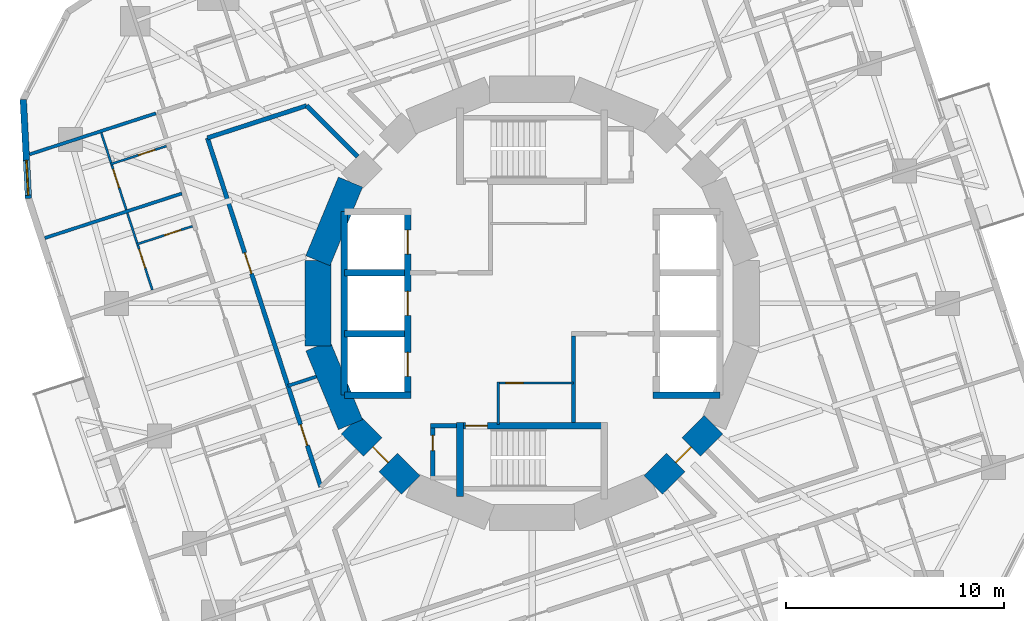
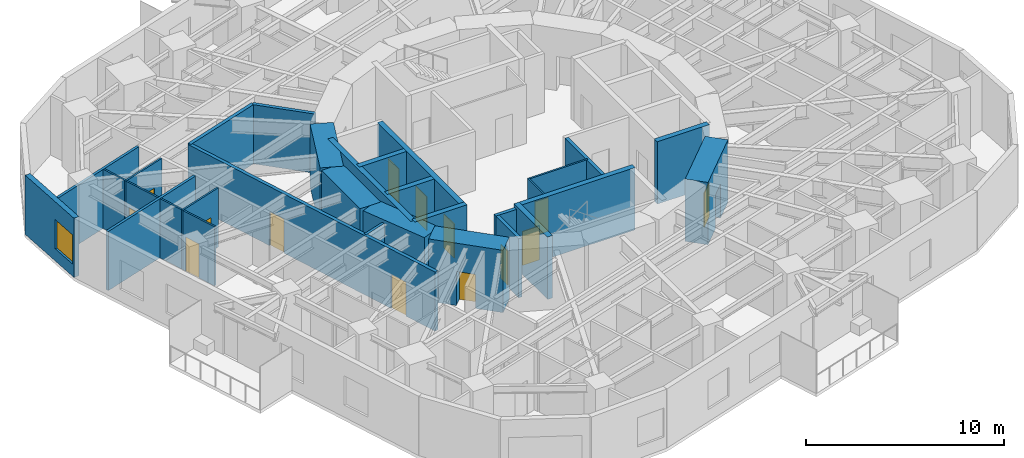
# One storey, part 6 of 12: 31 walls, 14 doors, 1 window, 15 openings.
"""IFC4 building model written with IfcOpenShell, lengths in metres."""

from ifc_helpers import new_model, si_unit, direction, frame, frame_2d, origin, place, context, subcontext, project, spatial, rectangle, extrude, material, layer, layer_set, type_object, element, fill, save


model = new_model("IFC4")

# Units and contexts
model_context = context("Model", 3, precision=1e-05, world=origin(), true_north=direction((0.0, 1.0)))
body_context = subcontext(model_context, "Body", "Model", "MODEL_VIEW")
ifc_project = project(units=[si_unit("LENGTHUNIT", "METRE"), si_unit("AREAUNIT", "SQUARE_METRE"), si_unit("VOLUMEUNIT", "CUBIC_METRE"), si_unit("PLANEANGLEUNIT", "RADIAN"), si_unit("MASSUNIT", "GRAM", prefix="KILO")], contexts=[model_context])

# Site, building, storey
site_placement = place(None, origin())
site = spatial("IfcSite", under=ifc_project, at=site_placement, CompositionType="ELEMENT")
building_placement = place(site_placement, origin())
building = spatial("IfcBuilding", under=site, at=building_placement, Name="Nakasero Lantern House", CompositionType="ELEMENT")
storey_placement = place(building_placement, frame((0.0, 0.0, 145.64990234375)))
storey = spatial("IfcBuildingStorey", under=building, at=storey_placement, Name="L35", CompositionType="ELEMENT", Elevation=145.64990234375)

# Wall, openings, doors
ifc_material_1 = material(Name="Concrete C50/60", Category="concrete")
ifc_layer_1 = layer(ifc_material_1, 0.300048828125)
ifc_layer_set_1 = layer_set([ifc_layer_1], Name="Core inner wall 300")
wall_type_1 = type_object("IfcWallType", Name="Core inner wall 300", PredefinedType="SHEAR", material=ifc_layer_set_1)
wall_1_placement = place(storey_placement, frame((-5.699951171875, -4.199951171875, 0.0), z_axis=(0.0, 0.0, 1.0), x_axis=(0.0, 1.0, 0.0)))
wall_1 = element("IfcWall", 1, at=wall_1_placement, inside=storey, type_object=wall_type_1, Name="Core inner wall L35 LW", PredefinedType="SHEAR", context=body_context, shape_type="SweptSolid", body=[
    extrude(rectangle(XDim=8.39990234375, YDim=0.300048828125, at=frame_2d((4.199951171875, 0.0))), origin(), (0.0, 0.0, 1.0), 3.85009765625),
])
opening_1_placement = place(wall_1_placement, frame((0.85009765625, 0.0, 0.0)))
opening_1 = element("IfcOpeningElement", 2, at=opening_1_placement, cuts=wall_1, Name="Opening LD", PredefinedType="OPENING", context=body_context, shape_type="SweptSolid", body=[
    extrude(rectangle(XDim=1.10009765625, YDim=2.10009765625, at=frame_2d((0.550048828125, 1.050048828125))), frame((0.0, 0.169921875, 0.0), z_axis=(0.0, -1.0, 0.0), x_axis=(1.0, 0.0, 0.0)), (0.0, 0.0, 1.0), 0.340087890625),
])
opening_2_placement = place(wall_1_placement, frame((3.64990234375, 0.0, 0.0)))
opening_2 = element("IfcOpeningElement", 3, at=opening_2_placement, cuts=wall_1, Name="Opening LD", PredefinedType="OPENING", context=body_context, shape_type="SweptSolid", body=[
    extrude(rectangle(XDim=1.10009765625, YDim=2.10009765625, at=frame_2d((0.550048828125, 1.050048828125))), frame((0.0, 0.169921875, 0.0), z_axis=(0.0, -1.0, 0.0), x_axis=(1.0, 0.0, 0.0)), (0.0, 0.0, 1.0), 0.340087890625),
])
opening_3_placement = place(wall_1_placement, frame((6.449951171875, 0.0, 0.0)))
opening_3 = element("IfcOpeningElement", 4, at=opening_3_placement, cuts=wall_1, Name="Opening LD", PredefinedType="OPENING", context=body_context, shape_type="SweptSolid", body=[
    extrude(rectangle(XDim=1.10009765625, YDim=2.10009765625, at=frame_2d((0.550048828125, 1.050048828125))), frame((0.0, 0.169921875, 0.0), z_axis=(0.0, -1.0, 0.0), x_axis=(1.0, 0.0, 0.0)), (0.0, 0.0, 1.0), 0.340087890625),
])
ifc_material_2 = material(Name="Steel S355", Category="steel")
door_type_1 = type_object("IfcDoorType", Name="Lift landing door E120 1100", OperationType="SLIDING_TO_LEFT", PredefinedType="DOOR", material=ifc_material_2)
door_1_placement = place(opening_1_placement, origin())
door_1 = element("IfcDoor", 5, at=door_1_placement, inside=storey, type_object=door_type_1, Name="Lift landing door LW1", OperationType="SLIDING_TO_LEFT", OverallHeight=2.10009765625, OverallWidth=1.10009765625, PredefinedType="DOOR", context=body_context, shape_type="SweptSolid", body=[
    extrude(rectangle(XDim=1.10009765625, YDim=2.10009765625, at=frame_2d((0.550048828125, 1.050048828125))), frame((0.0, 0.02490234375, 0.0), z_axis=(0.0, -1.0, 0.0), x_axis=(1.0, 0.0, 0.0)), (0.0, 0.0, 1.0), 0.050048828125),
])
fill(opening_1, door_1)
door_2_placement = place(opening_2_placement, origin())
door_2 = element("IfcDoor", 6, at=door_2_placement, inside=storey, type_object=door_type_1, Name="Lift landing door LW2", OperationType="SLIDING_TO_LEFT", OverallHeight=2.10009765625, OverallWidth=1.10009765625, PredefinedType="DOOR", context=body_context, shape_type="SweptSolid", body=[
    extrude(rectangle(XDim=1.10009765625, YDim=2.10009765625, at=frame_2d((0.550048828125, 1.050048828125))), frame((0.0, 0.02490234375, 0.0), z_axis=(0.0, -1.0, 0.0), x_axis=(1.0, 0.0, 0.0)), (0.0, 0.0, 1.0), 0.050048828125),
])
fill(opening_2, door_2)
door_3_placement = place(opening_3_placement, origin())
door_3 = element("IfcDoor", 7, at=door_3_placement, inside=storey, type_object=door_type_1, Name="Lift landing door LW3", OperationType="SLIDING_TO_LEFT", OverallHeight=2.10009765625, OverallWidth=1.10009765625, PredefinedType="DOOR", context=body_context, shape_type="SweptSolid", body=[
    extrude(rectangle(XDim=1.10009765625, YDim=2.10009765625, at=frame_2d((0.550048828125, 1.050048828125))), frame((0.0, 0.02490234375, 0.0), z_axis=(0.0, -1.0, 0.0), x_axis=(1.0, 0.0, 0.0)), (0.0, 0.0, 1.0), 0.050048828125),
])
fill(opening_3, door_3)

# Walls
for number, where, z_axis, x_axis, name in (
    (8, (-8.60009765625, -4.199951171875, 0.0), (0.0, 0.0, 1.0), (1.0, 0.0, 0.0), "Core inner wall L35 LWS"),
    (9, (5.550048828125, -4.199951171875, 0.0), (0.0, 0.0, 1.0), (1.0, 0.0, 0.0), "Core inner wall L35 LES"),
):
    element("IfcWall", number, at=place(storey_placement, frame(where, z_axis=z_axis, x_axis=x_axis)), inside=storey, type_object=wall_type_1, Name=name, PredefinedType="SHEAR", context=body_context, shape_type="SweptSolid", body=[
        extrude(rectangle(XDim=3.050048828125, YDim=0.300048828125, at=frame_2d((1.52490234375, 0.0))), origin(), (0.0, 0.0, 1.0), 3.85009765625),
    ])
wall_2_placement = place(storey_placement, frame((-8.60009765625, -4.199951171875, 0.0), z_axis=(0.0, 0.0, 1.0), x_axis=(0.0, 1.0, 0.0)))
element("IfcWall", 10, at=wall_2_placement, inside=storey, type_object=wall_type_1, Name="Core inner wall L35 LWB", PredefinedType="SHEAR", context=body_context, shape_type="SweptSolid", body=[
    extrude(rectangle(XDim=8.39990234375, YDim=0.300048828125, at=frame_2d((4.199951171875, 0.0))), origin(), (0.0, 0.0, 1.0), 3.85009765625),
])
for number, where, z_axis, x_axis, name in (
    (11, (-8.60009765625, -1.39990234375, 0.0), (0.0, 0.0, 1.0), (1.0, 0.0, 0.0), "Core inner wall L35 LW1"),
    (12, (-8.60009765625, 1.39990234375, 0.0), (0.0, 0.0, 1.0), (1.0, 0.0, 0.0), "Core inner wall L35 LW2"),
):
    element("IfcWall", number, at=place(storey_placement, frame(where, z_axis=z_axis, x_axis=x_axis)), inside=storey, type_object=wall_type_1, Name=name, PredefinedType="SHEAR", context=body_context, shape_type="SweptSolid", body=[
        extrude(rectangle(XDim=2.75, YDim=0.300048828125, at=frame_2d((1.375, 0.0))), origin(), (0.0, 0.0, 1.0), 3.85009765625),
    ])

# Wall, opening, door
wall_3_placement = place(storey_placement, frame((-3.449951171875, -5.60009765625, 0.0), z_axis=(0.0, 0.0, 1.0), x_axis=(1.0, 0.0, 0.0)))
wall_3 = element("IfcWall", 13, at=wall_3_placement, inside=storey, type_object=wall_type_1, Name="Core inner wall L35 SS", PredefinedType="SHEAR", context=body_context, shape_type="SweptSolid", body=[
    extrude(rectangle(XDim=6.89990234375, YDim=0.300048828125, at=frame_2d((3.449951171875, 0.0))), origin(), (0.0, 0.0, 1.0), 3.85009765625),
])
opening_4_placement = place(wall_3_placement, frame((0.39990234375, 0.0, 0.0)))
opening_4 = element("IfcOpeningElement", 14, at=opening_4_placement, cuts=wall_3, Name="Opening D05", PredefinedType="OPENING", context=body_context, shape_type="SweptSolid", body=[
    extrude(rectangle(XDim=1.0, YDim=2.10009765625, at=frame_2d((0.5, 1.050048828125))), frame((0.0, 0.169921875, 0.0), z_axis=(0.0, -1.0, 0.0), x_axis=(1.0, 0.0, 0.0)), (0.0, 0.0, 1.0), 0.340087890625),
])
ifc_material_3 = material(Name="Timber C24", Category="wood")
door_type_2 = type_object("IfcDoorType", Name="Core door FD60S 1000", OperationType="SINGLE_SWING_LEFT", PredefinedType="DOOR", material=ifc_material_3)
door_4_placement = place(opening_4_placement, origin())
door_4 = element("IfcDoor", 15, at=door_4_placement, inside=storey, type_object=door_type_2, Name="Door L35 D-ST2", OperationType="SINGLE_SWING_LEFT", OverallHeight=2.10009765625, OverallWidth=1.0, PredefinedType="DOOR", context=body_context, shape_type="SweptSolid", body=[
    extrude(rectangle(XDim=1.0, YDim=2.10009765625, at=frame_2d((0.5, 1.050048828125))), frame((0.0, 0.02490234375, 0.0), z_axis=(0.0, -1.0, 0.0), x_axis=(1.0, 0.0, 0.0)), (0.0, 0.0, 1.0), 0.050048828125),
])
fill(opening_4, door_4)

# Wall
wall_4_placement = place(storey_placement, frame((-3.300048828125, -5.449951171875, 0.0), z_axis=(0.0, 0.0, 1.0), x_axis=(0.0, -1.0, 0.0)))
element("IfcWall", 16, at=wall_4_placement, inside=storey, type_object=wall_type_1, Name="Core inner wall L35 SSW", PredefinedType="SHEAR", context=body_context, shape_type="SweptSolid", body=[
    extrude(rectangle(XDim=3.400146484375, YDim=0.300048828125, at=frame_2d((1.7001953125, 0.0))), origin(), (0.0, 0.0, 1.0), 3.85009765625),
])

# Wall, opening, door
ifc_material_4 = material(Name="Blockwork", Category="masonry")
ifc_layer_2 = layer(ifc_material_4, 0.10009765625)
ifc_layer_set_2 = layer_set([ifc_layer_2], Name="Core room wall 100")
wall_type_2 = type_object("IfcWallType", Name="Core room wall 100", PredefinedType="PARTITIONING", material=ifc_layer_set_2)
wall_5_placement = place(storey_placement, frame((-1.60009765625, -3.64990234375, 0.0), z_axis=(0.0, 0.0, 1.0), x_axis=(1.0, 0.0, 0.0)))
wall_5 = element("IfcWall", 17, at=wall_5_placement, inside=storey, type_object=wall_type_2, Name="Core room wall L35 CR-SWN", PredefinedType="PARTITIONING", context=body_context, shape_type="SweptSolid", body=[
    extrude(rectangle(XDim=3.5, YDim=0.10009765625, at=frame_2d((1.75, 0.0))), origin(), (0.0, 0.0, 1.0), 3.650146484375),
])
opening_5_placement = place(wall_5_placement, frame((0.39990234375, 0.0, 0.0)))
opening_5 = element("IfcOpeningElement", 18, at=opening_5_placement, cuts=wall_5, Name="Opening D15", PredefinedType="OPENING", context=body_context, shape_type="SweptSolid", body=[
    extrude(rectangle(XDim=0.800048828125, YDim=2.10009765625, at=frame_2d((0.39990234375, 1.050048828125))), frame((0.0, 0.070068359375, 0.0), z_axis=(0.0, -1.0, 0.0), x_axis=(1.0, 0.0, 0.0)), (0.0, 0.0, 1.0), 0.14013671875),
])
ifc_material_5 = material(Name="Timber C24", Category="wood")
door_type_3 = type_object("IfcDoorType", Name="Cleaner's store door FD30S 800", OperationType="SINGLE_SWING_LEFT", PredefinedType="DOOR", material=ifc_material_5)
door_5_placement = place(opening_5_placement, origin())
door_5 = element("IfcDoor", 19, at=door_5_placement, inside=storey, type_object=door_type_3, Name="Door L35 D-CR-SW", OperationType="SINGLE_SWING_LEFT", OverallHeight=2.10009765625, OverallWidth=0.800048828125, PredefinedType="DOOR", context=body_context, shape_type="SweptSolid", body=[
    extrude(rectangle(XDim=0.800048828125, YDim=2.10009765625, at=frame_2d((0.39990234375, 1.050048828125))), frame((0.0, 0.02490234375, 0.0), z_axis=(0.0, -1.0, 0.0), x_axis=(1.0, 0.0, 0.0)), (0.0, 0.0, 1.0), 0.050048828125),
])
fill(opening_5, door_5)

# Walls
wall_6_placement = place(storey_placement, frame((-1.550048828125, -5.550048828125, 0.0), z_axis=(0.0, 0.0, 1.0), x_axis=(0.0, 1.0, 0.0)))
element("IfcWall", 20, at=wall_6_placement, inside=storey, type_object=wall_type_2, Name="Core room wall L35 CR-SWW", PredefinedType="PARTITIONING", context=body_context, shape_type="SweptSolid", body=[
    extrude(rectangle(XDim=1.949951171875, YDim=0.10009765625, at=frame_2d((0.97509765625, 0.0))), origin(), (0.0, 0.0, 1.0), 3.650146484375),
])
ifc_material_6 = material(Name="Concrete C50/60", Category="concrete")
ifc_layer_3 = layer(ifc_material_6, 1.199951171875)
ifc_layer_set_3 = layer_set([ifc_layer_3], Name="Core wall 1200")
wall_type_3 = type_object("IfcWallType", Name="Core wall 1200", PredefinedType="SHEAR", material=ifc_layer_set_3)
for number, where, z_axis, x_axis, name in (
    (21, (-8.314697265625, 5.5556640625, 0.0), (0.0, 0.0, 1.0), (-0.382690736062, -0.923876507187, 0.0), "Core wall L35 facet 7"),
    (22, (-9.807861328125, 1.950927734375, 0.0), (0.0, 0.0, 1.0), (0.0, -1.0, 0.0), "Core wall L35 facet 8"),
    (23, (-9.807861328125, -1.950927734375, 0.0), (0.0, 0.0, 1.0), (0.382690736062, -0.923876507187, 0.0), "Core wall L35 facet 9"),
):
    element("IfcWall", number, at=place(storey_placement, frame(where, z_axis=z_axis, x_axis=x_axis)), inside=storey, type_object=wall_type_3, Name=name, PredefinedType="SHEAR", context=body_context, shape_type="SweptSolid", body=[
        extrude(rectangle(XDim=3.90185546875, YDim=1.199951171875, at=frame_2d((1.950927734375, 0.0))), origin(), (0.0, 0.0, 1.0), 3.85009765625),
    ])

# Wall, opening, door
wall_7_placement = place(storey_placement, frame((-8.314697265625, -5.5556640625, 0.0), z_axis=(0.0, 0.0, 1.0), x_axis=(0.707106781187, -0.707106781187, 0.0)))
wall_7 = element("IfcWall", 24, at=wall_7_placement, inside=storey, type_object=wall_type_3, Name="Core wall L35 facet 10", PredefinedType="SHEAR", context=body_context, shape_type="SweptSolid", body=[
    extrude(rectangle(XDim=3.90185546875, YDim=1.199951171875, at=frame_2d((1.950927734375, 0.0))), origin(), (0.0, 0.0, 1.0), 3.85009765625),
])
opening_6_placement = place(wall_7_placement, frame((1.450927734375, 0.0, 0.0)))
opening_6 = element("IfcOpeningElement", 25, at=opening_6_placement, cuts=wall_7, Name="Opening D05", PredefinedType="OPENING", context=body_context, shape_type="SweptSolid", body=[
    extrude(rectangle(XDim=1.0, YDim=2.10009765625, at=frame_2d((0.5, 1.050048828125))), frame((0.0, 0.619873046875, 0.0), z_axis=(0.0, -1.0, 0.0), x_axis=(1.0, 0.0, 0.0)), (0.0, 0.0, 1.0), 1.239990234375),
])
door_6_placement = place(opening_6_placement, origin())
door_6 = element("IfcDoor", 26, at=door_6_placement, inside=storey, type_object=door_type_2, Name="Door L35 D-CORE10", OperationType="SINGLE_SWING_LEFT", OverallHeight=2.10009765625, OverallWidth=1.0, PredefinedType="DOOR", context=body_context, shape_type="SweptSolid", body=[
    extrude(rectangle(XDim=1.0, YDim=2.10009765625, at=frame_2d((0.5, 1.050048828125))), frame((0.0, 0.02490234375, 0.0), z_axis=(0.0, -1.0, 0.0), x_axis=(1.0, 0.0, 0.0)), (0.0, 0.0, 1.0), 0.050048828125),
])
fill(opening_6, door_6)

wall_8_placement = place(storey_placement, frame((5.5556640625, -8.314697265625, 0.0), z_axis=(0.0, 0.0, 1.0), x_axis=(0.707106781187, 0.707106781187, 0.0)))
wall_8 = element("IfcWall", 27, at=wall_8_placement, inside=storey, type_object=wall_type_3, Name="Core wall L35 facet 14", PredefinedType="SHEAR", context=body_context, shape_type="SweptSolid", body=[
    extrude(rectangle(XDim=3.90185546875, YDim=1.199951171875, at=frame_2d((1.950927734375, 0.0))), origin(), (0.0, 0.0, 1.0), 3.85009765625),
])
opening_7_placement = place(wall_8_placement, frame((1.450927734375, 0.0, 0.0)))
opening_7 = element("IfcOpeningElement", 28, at=opening_7_placement, cuts=wall_8, Name="Opening D05", PredefinedType="OPENING", context=body_context, shape_type="SweptSolid", body=[
    extrude(rectangle(XDim=1.0, YDim=2.10009765625, at=frame_2d((0.5, 1.050048828125))), frame((0.0, 0.619873046875, 0.0), z_axis=(0.0, -1.0, 0.0), x_axis=(1.0, 0.0, 0.0)), (0.0, 0.0, 1.0), 1.239990234375),
])
door_7_placement = place(opening_7_placement, origin())
door_7 = element("IfcDoor", 29, at=door_7_placement, inside=storey, type_object=door_type_2, Name="Door L35 D-CORE14", OperationType="SINGLE_SWING_LEFT", OverallHeight=2.10009765625, OverallWidth=1.0, PredefinedType="DOOR", context=body_context, shape_type="SweptSolid", body=[
    extrude(rectangle(XDim=1.0, YDim=2.10009765625, at=frame_2d((0.5, 1.050048828125))), frame((0.0, 0.02490234375, 0.0), z_axis=(0.0, -1.0, 0.0), x_axis=(1.0, 0.0, 0.0)), (0.0, 0.0, 1.0), 0.050048828125),
])
fill(opening_7, door_7)

# Wall
ifc_material_7 = material(Name="Blockwork", Category="masonry")
ifc_layer_4 = layer(ifc_material_7, 0.199951171875)
ifc_layer_set_4 = layer_set([ifc_layer_4], Name="Corridor wall 200")
wall_type_4 = type_object("IfcWallType", Name="Corridor wall 200", PredefinedType="PARTITIONING", material=ifc_layer_set_4)
wall_9_placement = place(storey_placement, frame((-10.3251953125, 9.052490234375, 0.0), z_axis=(0.0, 0.0, 1.0), x_axis=(-0.951057724773, -0.309013275037, 0.0)))
element("IfcWall", 30, at=wall_9_placement, inside=storey, type_object=wall_type_4, Name="Corridor wall L35 IW1-1", PredefinedType="PARTITIONING", context=body_context, shape_type="SweptSolid", body=[
    extrude(rectangle(XDim=4.777587890625, YDim=0.199951171875, at=frame_2d((2.388671875, 0.0))), origin(), (0.0, 0.0, 1.0), 3.650146484375),
])

# Wall, openings, doors
wall_10_placement = place(storey_placement, frame((-14.868896484375, 7.576171875, 0.0), z_axis=(0.0, 0.0, 1.0), x_axis=(0.309013133095, -0.951057770893, 0.0)))
wall_10 = element("IfcWall", 31, at=wall_10_placement, inside=storey, type_object=wall_type_4, Name="Corridor wall L35 IW2-0", PredefinedType="PARTITIONING", context=body_context, shape_type="SweptSolid", body=[
    extrude(rectangle(XDim=16.80224609375, YDim=0.199951171875, at=frame_2d((8.401123046875, 0.0))), origin(), (0.0, 0.0, 1.0), 3.650146484375),
])
opening_8_placement = place(wall_10_placement, frame((13.80859375, 0.0, 0.0)))
opening_8 = element("IfcOpeningElement", 32, at=opening_8_placement, cuts=wall_10, Name="Opening D07", PredefinedType="OPENING", context=body_context, shape_type="SweptSolid", body=[
    extrude(rectangle(XDim=1.0, YDim=2.10009765625, at=frame_2d((0.5, 1.050048828125))), frame((0.0, 0.119873046875, 0.0), z_axis=(0.0, -1.0, 0.0), x_axis=(1.0, 0.0, 0.0)), (0.0, 0.0, 1.0), 0.239990234375),
])
opening_9_placement = place(wall_10_placement, frame((5.532470703125, 0.0, 0.0)))
opening_9 = element("IfcOpeningElement", 33, at=opening_9_placement, cuts=wall_10, Name="Opening D07", PredefinedType="OPENING", context=body_context, shape_type="SweptSolid", body=[
    extrude(rectangle(XDim=1.0, YDim=2.10009765625, at=frame_2d((0.5, 1.050048828125))), frame((0.0, 0.119873046875, 0.0), z_axis=(0.0, -1.0, 0.0), x_axis=(1.0, 0.0, 0.0)), (0.0, 0.0, 1.0), 0.239990234375),
])
ifc_material_8 = material(Name="Timber C24", Category="wood")
door_type_4 = type_object("IfcDoorType", Name="Room door FD30S 1000", OperationType="SINGLE_SWING_LEFT", PredefinedType="DOOR", material=ifc_material_8)
door_8_placement = place(opening_8_placement, origin())
door_8 = element("IfcDoor", 34, at=door_8_placement, inside=storey, type_object=door_type_4, Name="Door L35 DI1", OperationType="SINGLE_SWING_RIGHT", OverallHeight=2.10009765625, OverallWidth=1.0, PredefinedType="DOOR", context=body_context, shape_type="SweptSolid", body=[
    extrude(rectangle(XDim=1.0, YDim=2.10009765625, at=frame_2d((0.5, 1.050048828125))), frame((0.0, 0.02490234375, 0.0), z_axis=(0.0, -1.0, 0.0), x_axis=(1.0, 0.0, 0.0)), (0.0, 0.0, 1.0), 0.050048828125),
])
fill(opening_8, door_8)
door_9_placement = place(opening_9_placement, origin())
door_9 = element("IfcDoor", 35, at=door_9_placement, inside=storey, type_object=door_type_4, Name="Door L35 DI8", OperationType="SINGLE_SWING_LEFT", OverallHeight=2.10009765625, OverallWidth=1.0, PredefinedType="DOOR", context=body_context, shape_type="SweptSolid", body=[
    extrude(rectangle(XDim=1.0, YDim=2.10009765625, at=frame_2d((0.5, 1.050048828125))), frame((0.0, 0.02490234375, 0.0), z_axis=(0.0, -1.0, 0.0), x_axis=(1.0, 0.0, 0.0)), (0.0, 0.0, 1.0), 0.050048828125),
])
fill(opening_9, door_9)

# Wall
wall_11_placement = place(storey_placement, frame((-7.995849609375, 6.72314453125, 0.0), z_axis=(0.0, 0.0, 1.0), x_axis=(-0.707106781187, 0.707106781187, 0.0)))
element("IfcWall", 36, at=wall_11_placement, inside=storey, type_object=wall_type_4, Name="Corridor wall L35 PS06a", PredefinedType="PARTITIONING", context=body_context, shape_type="SweptSolid", body=[
    extrude(rectangle(XDim=3.294189453125, YDim=0.199951171875, at=frame_2d((1.64697265625, 0.0))), origin(), (0.0, 0.0, 1.0), 3.650146484375),
])

# Wall, opening, door
ifc_material_9 = material(Name="Blockwork", Category="masonry")
ifc_layer_5 = layer(ifc_material_9, 0.10009765625)
ifc_layer_set_5 = layer_set([ifc_layer_5], Name="En-suite wall 100")
wall_type_5 = type_object("IfcWallType", Name="En-suite wall 100", PredefinedType="PARTITIONING", material=ifc_layer_set_5)
wall_12_placement = place(storey_placement, frame((-16.745361328125, 7.202880859375, 0.0), z_axis=(0.0, 0.0, 1.0), x_axis=(-0.951069945308, -0.308975661068, 0.0)))
wall_12 = element("IfcWall", 37, at=wall_12_placement, inside=storey, type_object=wall_type_5, Name="En-suite wall L35 ES2-00", PredefinedType="PARTITIONING", context=body_context, shape_type="SweptSolid", body=[
    extrude(rectangle(XDim=2.699951171875, YDim=0.10009765625, at=frame_2d((1.35009765625, 0.0))), origin(), (0.0, 0.0, 1.0), 3.650146484375),
])
opening_10_placement = place(wall_12_placement, frame((0.550048828125, 0.0, 0.0)))
opening_10 = element("IfcOpeningElement", 38, at=opening_10_placement, cuts=wall_12, Name="Opening D02", PredefinedType="OPENING", context=body_context, shape_type="SweptSolid", body=[
    extrude(rectangle(XDim=0.800048828125, YDim=2.10009765625, at=frame_2d((0.39990234375, 1.050048828125))), frame((0.0, 0.070068359375, 0.0), z_axis=(0.0, -1.0, 0.0), x_axis=(1.0, 0.0, 0.0)), (0.0, 0.0, 1.0), 0.14013671875),
])
ifc_material_10 = material(Name="Timber C24", Category="wood")
door_type_5 = type_object("IfcDoorType", Name="En-suite door 800", OperationType="SINGLE_SWING_RIGHT", PredefinedType="DOOR", material=ifc_material_10)
door_10_placement = place(opening_10_placement, origin())
door_10 = element("IfcDoor", 39, at=door_10_placement, inside=storey, type_object=door_type_5, Name="Door L35 DE2-00", OperationType="SINGLE_SWING_LEFT", OverallHeight=2.10009765625, OverallWidth=0.800048828125, PredefinedType="DOOR", context=body_context, shape_type="SweptSolid", body=[
    extrude(rectangle(XDim=0.800048828125, YDim=2.10009765625, at=frame_2d((0.39990234375, 1.050048828125))), frame((0.0, 0.02490234375, 0.0), z_axis=(0.0, -1.0, 0.0), x_axis=(1.0, 0.0, 0.0)), (0.0, 0.0, 1.0), 0.050048828125),
])
fill(opening_10, door_10)

# Wall
wall_13_placement = place(storey_placement, frame((-19.729248046875, 7.810546875, 0.0), z_axis=(0.0, 0.0, 1.0), x_axis=(0.308994689397, -0.951063763333, 0.0)))
element("IfcWall", 40, at=wall_13_placement, inside=storey, type_object=wall_type_5, Name="En-suite wall L35 EE2-00", PredefinedType="PARTITIONING", context=body_context, shape_type="SweptSolid", body=[
    extrude(rectangle(XDim=1.449951171875, YDim=0.10009765625, at=frame_2d((0.72509765625, 0.0))), origin(), (0.0, 0.0, 1.0), 3.650146484375),
])

# Wall, opening, door
wall_14_placement = place(storey_placement, frame((-15.552734375, 3.5322265625, 0.0), z_axis=(0.0, 0.0, 1.0), x_axis=(-0.951069945308, -0.308975661068, 0.0)))
wall_14 = element("IfcWall", 41, at=wall_14_placement, inside=storey, type_object=wall_type_5, Name="En-suite wall L35 ES2-01", PredefinedType="PARTITIONING", context=body_context, shape_type="SweptSolid", body=[
    extrude(rectangle(XDim=2.699951171875, YDim=0.10009765625, at=frame_2d((1.35009765625, 0.0))), origin(), (0.0, 0.0, 1.0), 3.650146484375),
])
opening_11_placement = place(wall_14_placement, frame((0.550048828125, 0.0, 0.0)))
opening_11 = element("IfcOpeningElement", 42, at=opening_11_placement, cuts=wall_14, Name="Opening D02", PredefinedType="OPENING", context=body_context, shape_type="SweptSolid", body=[
    extrude(rectangle(XDim=0.800048828125, YDim=2.10009765625, at=frame_2d((0.39990234375, 1.050048828125))), frame((0.0, 0.070068359375, 0.0), z_axis=(0.0, -1.0, 0.0), x_axis=(1.0, 0.0, 0.0)), (0.0, 0.0, 1.0), 0.14013671875),
])
door_11_placement = place(opening_11_placement, origin())
door_11 = element("IfcDoor", 43, at=door_11_placement, inside=storey, type_object=door_type_5, Name="Door L35 DE2-01", OperationType="SINGLE_SWING_LEFT", OverallHeight=2.10009765625, OverallWidth=0.800048828125, PredefinedType="DOOR", context=body_context, shape_type="SweptSolid", body=[
    extrude(rectangle(XDim=0.800048828125, YDim=2.10009765625, at=frame_2d((0.39990234375, 1.050048828125))), frame((0.0, 0.02490234375, 0.0), z_axis=(0.0, -1.0, 0.0), x_axis=(1.0, 0.0, 0.0)), (0.0, 0.0, 1.0), 0.050048828125),
])
fill(opening_11, door_11)

# Wall
wall_15_placement = place(storey_placement, frame((-18.53662109375, 4.14013671875, 0.0), z_axis=(0.0, 0.0, 1.0), x_axis=(0.308945211672, -0.951079836914, 0.0)))
element("IfcWall", 44, at=wall_15_placement, inside=storey, type_object=wall_type_5, Name="En-suite wall L35 EE2-01", PredefinedType="PARTITIONING", context=body_context, shape_type="SweptSolid", body=[
    extrude(rectangle(XDim=1.4501953125, YDim=0.10009765625, at=frame_2d((0.72509765625, 0.0))), origin(), (0.0, 0.0, 1.0), 3.650146484375),
])

# Wall, opening, door
wall_16_placement = place(storey_placement, frame((-19.250244140625, 6.33642578125, 0.0), z_axis=(0.0, 0.0, 1.0), x_axis=(0.308994037562, -0.951063975109, 0.0)))
wall_16 = element("IfcWall", 45, at=wall_16_placement, inside=storey, type_object=wall_type_5, Name="En-suite wall L35 EL2-00", PredefinedType="PARTITIONING", context=body_context, shape_type="SweptSolid", body=[
    extrude(rectangle(XDim=2.159423828125, YDim=0.10009765625, at=frame_2d((1.07958984375, 0.0))), origin(), (0.0, 0.0, 1.0), 3.650146484375),
])
opening_12_placement = place(wall_16_placement, frame((0.199951171875, 0.0, 0.0)))
opening_12 = element("IfcOpeningElement", 46, at=opening_12_placement, cuts=wall_16, Name="Opening D17", PredefinedType="OPENING", context=body_context, shape_type="SweptSolid", body=[
    extrude(rectangle(XDim=0.89990234375, YDim=2.10009765625, at=frame_2d((0.449951171875, 1.050048828125))), frame((0.0, 0.070068359375, 0.0), z_axis=(0.0, -1.0, 0.0), x_axis=(1.0, 0.0, 0.0)), (0.0, 0.0, 1.0), 0.14013671875),
])
ifc_material_11 = material(Name="Timber C24", Category="wood")
door_type_6 = type_object("IfcDoorType", Name="Bedroom door FD30S 900", OperationType="SINGLE_SWING_LEFT", PredefinedType="DOOR", material=ifc_material_11)
door_12_placement = place(opening_12_placement, origin())
door_12 = element("IfcDoor", 47, at=door_12_placement, inside=storey, type_object=door_type_6, Name="Door L35 DL2-00", OperationType="SINGLE_SWING_LEFT", OverallHeight=2.10009765625, OverallWidth=0.89990234375, PredefinedType="DOOR", context=body_context, shape_type="SweptSolid", body=[
    extrude(rectangle(XDim=0.89990234375, YDim=2.10009765625, at=frame_2d((0.449951171875, 1.050048828125))), frame((0.0, 0.02490234375, 0.0), z_axis=(0.0, -1.0, 0.0), x_axis=(1.0, 0.0, 0.0)), (0.0, 0.0, 1.0), 0.050048828125),
])
fill(opening_12, door_12)

wall_17_placement = place(storey_placement, frame((-18.0576171875, 2.665771484375, 0.0), z_axis=(0.0, 0.0, 1.0), x_axis=(0.308994037562, -0.951063975109, 0.0)))
wall_17 = element("IfcWall", 48, at=wall_17_placement, inside=storey, type_object=wall_type_5, Name="En-suite wall L35 EL2-01", PredefinedType="PARTITIONING", context=body_context, shape_type="SweptSolid", body=[
    extrude(rectangle(XDim=2.159423828125, YDim=0.10009765625, at=frame_2d((1.07958984375, 0.0))), origin(), (0.0, 0.0, 1.0), 3.650146484375),
])
opening_13_placement = place(wall_17_placement, frame((0.199951171875, 0.0, 0.0)))
opening_13 = element("IfcOpeningElement", 49, at=opening_13_placement, cuts=wall_17, Name="Opening D17", PredefinedType="OPENING", context=body_context, shape_type="SweptSolid", body=[
    extrude(rectangle(XDim=0.89990234375, YDim=2.10009765625, at=frame_2d((0.449951171875, 1.050048828125))), frame((0.0, 0.070068359375, 0.0), z_axis=(0.0, -1.0, 0.0), x_axis=(1.0, 0.0, 0.0)), (0.0, 0.0, 1.0), 0.14013671875),
])
door_13_placement = place(opening_13_placement, origin())
door_13 = element("IfcDoor", 50, at=door_13_placement, inside=storey, type_object=door_type_6, Name="Door L35 DL2-01", OperationType="SINGLE_SWING_LEFT", OverallHeight=2.10009765625, OverallWidth=0.89990234375, PredefinedType="DOOR", context=body_context, shape_type="SweptSolid", body=[
    extrude(rectangle(XDim=0.89990234375, YDim=2.10009765625, at=frame_2d((0.449951171875, 1.050048828125))), frame((0.0, 0.02490234375, 0.0), z_axis=(0.0, -1.0, 0.0), x_axis=(1.0, 0.0, 0.0)), (0.0, 0.0, 1.0), 0.050048828125),
])
fill(opening_13, door_13)

# Wall, opening, window
ifc_material_12 = material(Name="Aluminium rainscreen on blockwork", Category="masonry")
ifc_layer_6 = layer(ifc_material_12, 0.300048828125)
ifc_layer_set_6 = layer_set([ifc_layer_6], Name="Facade wall 300")
wall_type_6 = type_object("IfcWallType", Name="Facade wall 300", PredefinedType="SOLIDWALL", material=ifc_layer_set_6)
wall_18_placement = place(storey_placement, frame((-23.3017578125, 9.3310546875, 0.0), z_axis=(0.0, 0.0, 1.0), x_axis=(0.052338164079, -0.998629419044, 0.0)))
wall_18 = element("IfcWall", 51, at=wall_18_placement, inside=storey, type_object=wall_type_6, Name="Facade wall L35 FW1C3", PredefinedType="SOLIDWALL", context=body_context, shape_type="SweptSolid", body=[
    extrude(rectangle(XDim=4.529296875, YDim=0.300048828125, at=frame_2d((2.2646484375, 0.0))), origin(), (0.0, 0.0, 1.0), 3.650146484375),
])
opening_14_placement = place(wall_18_placement, frame((2.784912109375, 0.0, 0.75)))
opening_14 = element("IfcOpeningElement", 52, at=opening_14_placement, cuts=wall_18, Name="Opening W01", PredefinedType="OPENING", context=body_context, shape_type="SweptSolid", body=[
    extrude(rectangle(XDim=1.60009765625, YDim=1.800048828125, at=frame_2d((0.800048828125, 0.89990234375))), frame((0.0, 0.169921875, 0.0), z_axis=(0.0, -1.0, 0.0), x_axis=(1.0, 0.0, 0.0)), (0.0, 0.0, 1.0), 0.340087890625),
])
ifc_material_13 = material(Name="Aluminium 6063-T6 and glass", Category="aluminium")
window_type = type_object("IfcWindowType", Name="Bedroom window 1600x1800", PartitioningType="SINGLE_PANEL", PredefinedType="WINDOW", material=ifc_material_13)
window_placement = place(opening_14_placement, origin())
window = element("IfcWindow", 53, at=window_placement, inside=storey, type_object=window_type, Name="Window L35 WN2-00", OverallHeight=1.800048828125, OverallWidth=1.60009765625, PartitioningType="SINGLE_PANEL", PredefinedType="WINDOW", context=body_context, shape_type="SweptSolid", body=[
    extrude(rectangle(XDim=1.60009765625, YDim=1.800048828125, at=frame_2d((0.800048828125, 0.89990234375))), frame((0.0, 0.030029296875, 0.0), z_axis=(0.0, -1.0, 0.0), x_axis=(1.0, 0.0, 0.0)), (0.0, 0.0, 1.0), 0.06005859375),
])
fill(opening_14, window)

# Wall
ifc_material_14 = material(Name="Blockwork", Category="masonry")
ifc_layer_7 = layer(ifc_material_14, 0.199951171875)
ifc_layer_set_7 = layer_set([ifc_layer_7], Name="Fire lobby wall 200")
wall_type_7 = type_object("IfcWallType", Name="Fire lobby wall 200", PredefinedType="PARTITIONING", material=ifc_layer_set_7)
wall_19_placement = place(storey_placement, frame((1.89990234375, -1.5, 0.0), z_axis=(0.0, 0.0, 1.0), x_axis=(0.0, -1.0, 0.0)))
element("IfcWall", 54, at=wall_19_placement, inside=storey, type_object=wall_type_7, Name="Fire lobby wall L35 W-FL2W", PredefinedType="PARTITIONING", context=body_context, shape_type="SweptSolid", body=[
    extrude(rectangle(XDim=3.949951171875, YDim=0.199951171875, at=frame_2d((1.97509765625, 0.0))), origin(), (0.0, 0.0, 1.0), 3.650146484375),
])

# Wall, opening, door
wall_20_placement = place(storey_placement, frame((-4.550048828125, -5.60009765625, 0.0), z_axis=(0.0, 0.0, 1.0), x_axis=(0.0, -1.0, 0.0)))
wall_20 = element("IfcWall", 55, at=wall_20_placement, inside=storey, type_object=wall_type_7, Name="Fire lobby wall L35 W-RS2W", PredefinedType="PARTITIONING", context=body_context, shape_type="SweptSolid", body=[
    extrude(rectangle(XDim=2.39990234375, YDim=0.199951171875, at=frame_2d((1.199951171875, 0.0))), origin(), (0.0, 0.0, 1.0), 3.650146484375),
])
opening_15_placement = place(wall_20_placement, frame((0.449951171875, 0.0, 0.0)))
opening_15 = element("IfcOpeningElement", 56, at=opening_15_placement, cuts=wall_20, Name="Opening D06", PredefinedType="OPENING", context=body_context, shape_type="SweptSolid", body=[
    extrude(rectangle(XDim=0.699951171875, YDim=2.10009765625, at=frame_2d((0.35009765625, 1.050048828125))), frame((0.0, 0.119873046875, 0.0), z_axis=(0.0, -1.0, 0.0), x_axis=(1.0, 0.0, 0.0)), (0.0, 0.0, 1.0), 0.239990234375),
])
ifc_material_15 = material(Name="Steel S355", Category="steel")
door_type_7 = type_object("IfcDoorType", Name="Riser door FD60 700", OperationType="SINGLE_SWING_LEFT", PredefinedType="DOOR", material=ifc_material_15)
door_14_placement = place(opening_15_placement, origin())
door_14 = element("IfcDoor", 57, at=door_14_placement, inside=storey, type_object=door_type_7, Name="Door L35 D-RS2", OperationType="SINGLE_SWING_LEFT", OverallHeight=2.10009765625, OverallWidth=0.699951171875, PredefinedType="DOOR", context=body_context, shape_type="SweptSolid", body=[
    extrude(rectangle(XDim=0.699951171875, YDim=2.10009765625, at=frame_2d((0.35009765625, 1.050048828125))), frame((0.0, 0.02490234375, 0.0), z_axis=(0.0, -1.0, 0.0), x_axis=(1.0, 0.0, 0.0)), (0.0, 0.0, 1.0), 0.050048828125),
])
fill(opening_15, door_14)

# Walls
wall_21_placement = place(storey_placement, frame((-3.449951171875, -5.60009765625, 0.0), z_axis=(0.0, 0.0, 1.0), x_axis=(-1.0, 0.0, 0.0)))
element("IfcWall", 58, at=wall_21_placement, inside=storey, type_object=wall_type_7, Name="Fire lobby wall L35 W-RS2N", PredefinedType="PARTITIONING", context=body_context, shape_type="SweptSolid", body=[
    extrude(rectangle(XDim=1.199951171875, YDim=0.199951171875, at=frame_2d((0.60009765625, 0.0))), origin(), (0.0, 0.0, 1.0), 3.650146484375),
])
ifc_material_16 = material(Name="Blockwork", Category="masonry")
ifc_layer_8 = layer(ifc_material_16, 0.14990234375)
ifc_layer_set_8 = layer_set([ifc_layer_8], Name="Party wall 150")
wall_type_8 = type_object("IfcWallType", Name="Party wall 150", PredefinedType="PARTITIONING", material=ifc_layer_set_8)
wall_22_placement = place(storey_placement, frame((-17.232177734375, 8.700927734375, 0.0), z_axis=(0.0, 0.0, 1.0), x_axis=(-0.951057081836, -0.309015253813, 0.0)))
element("IfcWall", 59, at=wall_22_placement, inside=storey, type_object=wall_type_8, Name="Party wall L35 PW2-00", PredefinedType="PARTITIONING", context=body_context, shape_type="SweptSolid", body=[
    extrude(rectangle(XDim=6.080322265625, YDim=0.14990234375, at=frame_2d((3.0400390625, 0.0))), origin(), (0.0, 0.0, 1.0), 3.650146484375),
])
wall_23_placement = place(storey_placement, frame((-16.03955078125, 5.0302734375, 0.0), z_axis=(0.0, 0.0, 1.0), x_axis=(-0.951053095941, -0.309027520945, 0.0)))
element("IfcWall", 60, at=wall_23_placement, inside=storey, type_object=wall_type_8, Name="Party wall L35 PW2-01", PredefinedType="PARTITIONING", context=body_context, shape_type="SweptSolid", body=[
    extrude(rectangle(XDim=6.599853515625, YDim=0.14990234375, at=frame_2d((3.2998046875, 0.0))), origin(), (0.0, 0.0, 1.0), 3.650146484375),
])
wall_24_placement = place(storey_placement, frame((-11.17919921875, -3.779541015625, 0.0), z_axis=(0.0, 0.0, 1.0), x_axis=(0.951077243429, 0.308953195535, 0.0)))
element("IfcWall", 61, at=wall_24_placement, inside=storey, type_object=wall_type_8, Name="Party wall L35 IM2", PredefinedType="PARTITIONING", context=body_context, shape_type="SweptSolid", body=[
    extrude(rectangle(XDim=1.37109375, YDim=0.14990234375, at=frame_2d((0.685546875, 0.0))), origin(), (0.0, 0.0, 1.0), 3.650146484375),
])

save(model, "model.ifc")
